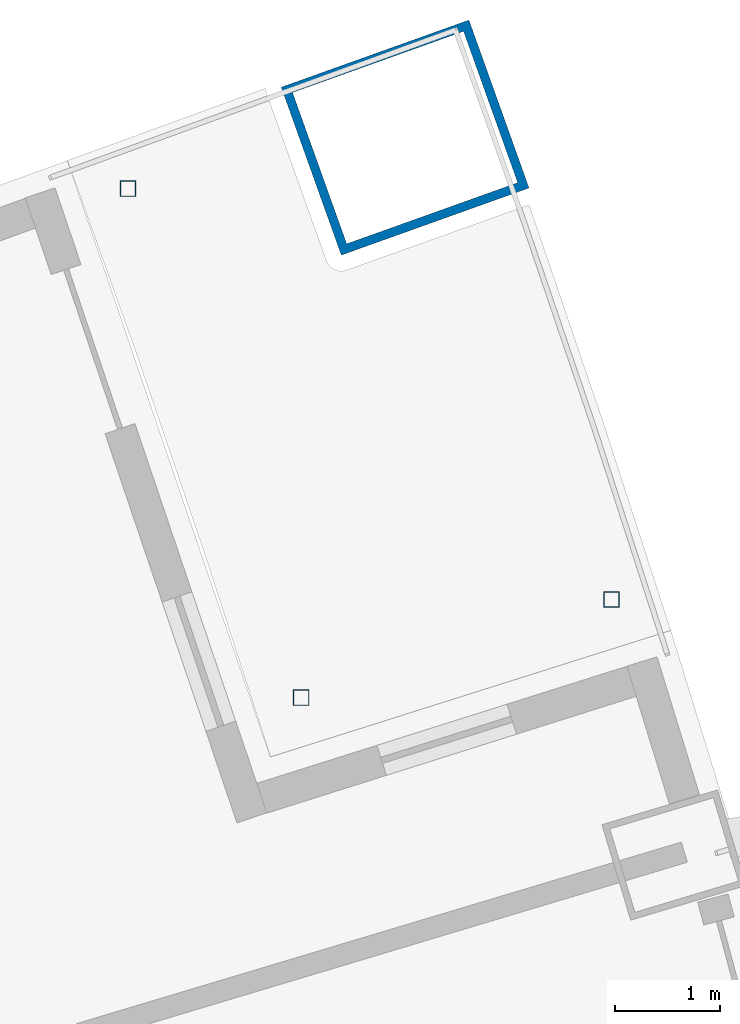
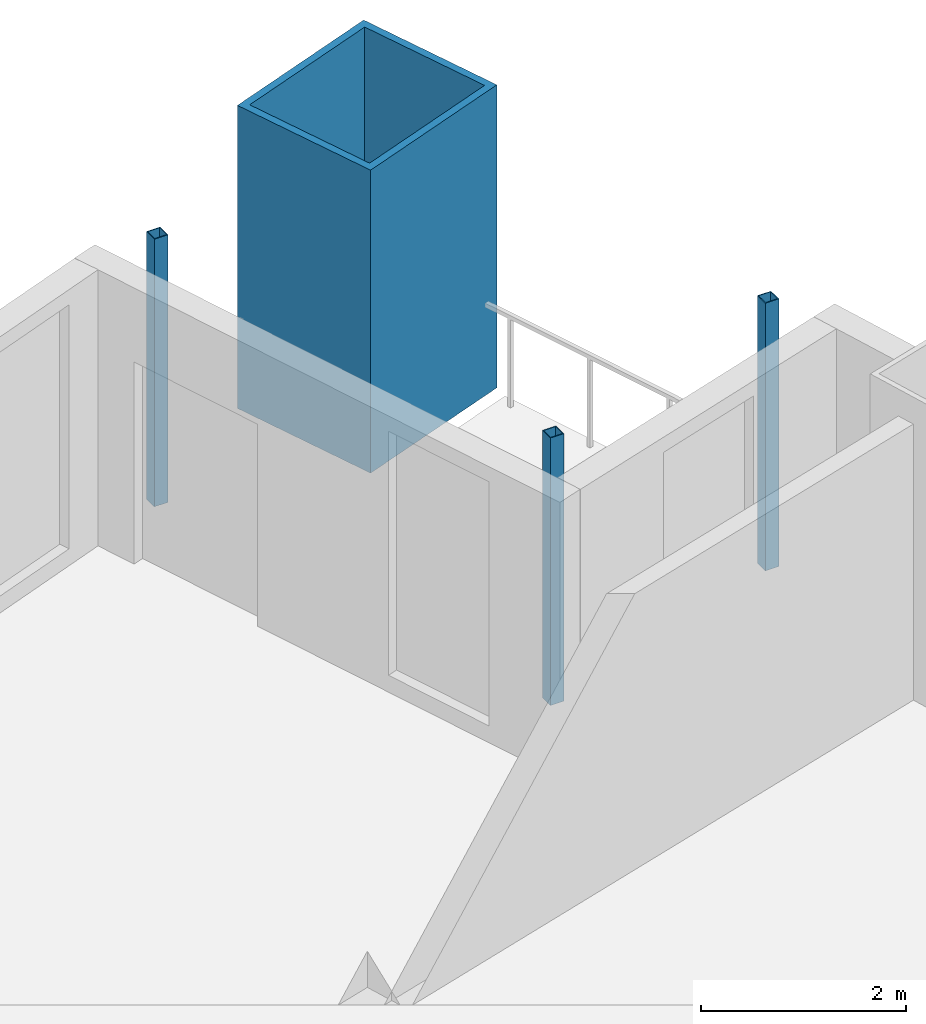
# One storey, part 11 of 25: 4 columns.
"""IFC4 building model written with IfcOpenShell, lengths in metres."""

from ifc_helpers import new_model, si_unit, direction, frame, origin, origin_2d, place, context, subcontext, project, spatial, hollow_rectangle, extrude, material, material_profile, profile_set, type_object, element, save


model = new_model("IFC4")

# Units and contexts
model_context = context("Model", 3, precision=1e-05, world=origin(), true_north=direction((0.0, 1.0)))
body_context = subcontext(model_context, "Body", "Model", "MODEL_VIEW")
ifc_project = project(units=[si_unit("LENGTHUNIT", "METRE"), si_unit("AREAUNIT", "SQUARE_METRE"), si_unit("VOLUMEUNIT", "CUBIC_METRE"), si_unit("PLANEANGLEUNIT", "RADIAN"), si_unit("MASSUNIT", "GRAM", prefix="KILO")], contexts=[model_context])

# Site, building, storey
site_placement = place(None, origin())
site = spatial("IfcSite", under=ifc_project, at=site_placement, CompositionType="ELEMENT")
building_placement = place(site_placement, origin())
building = spatial("IfcBuilding", under=site, at=building_placement, Name="Alderwake Tower", CompositionType="ELEMENT")
storey_placement = place(building_placement, frame((0.0, 0.0, 114.800048828125)))
storey = spatial("IfcBuildingStorey", under=building, at=storey_placement, Name="L28", CompositionType="ELEMENT", Elevation=114.800048828125)

# Columns
ifc_material_1 = material(Name="Steel ASTM A500 Grade C", Category="steel")
ifc_material_profile_1 = material_profile(ifc_material_1, hollow_rectangle(XDim=0.15234375, YDim=0.15234375, WallThickness=0.0087890625, at=origin_2d()), Name="HSS6X6X3/8")
ifc_profile_set_1 = profile_set([ifc_material_profile_1], Name="Steel ASTM A500 Grade C")
column_type_1 = type_object("IfcColumnType", Name="Light post HSS6X6X3/8", PredefinedType="COLUMN", material=ifc_profile_set_1)
for number, where, z_axis, x_axis, name in (
    (1, (54.064697265625, 103.86279296875, 0.0), (0.0, 0.0, 1.0), (1.0, 0.0, 0.0), "Terrace post FN1"),
    (2, (49.458251953125, 107.77685546875, 0.0), (0.0, 0.0, 1.0), (1.0, 0.0, 0.0), "Terrace post FN2"),
    (3, (51.10888671875, 102.92822265625, 0.0), (0.0, 0.0, 1.0), (1.0, 0.0, 0.0), "Terrace post FN3"),
):
    element("IfcColumn", number, at=place(storey_placement, frame(where, z_axis=z_axis, x_axis=x_axis)), inside=storey, type_object=column_type_1, Name=name, PredefinedType="COLUMN", context=body_context, shape_type="SweptSolid", body=[
        extrude(hollow_rectangle(XDim=0.15234375, YDim=0.15234375, WallThickness=0.0087890625, at=origin_2d()), origin(), (0.0, 0.0, 1.0), 3.179931640625),
    ])
ifc_material_2 = material(Name="Steel ASTM A572 Grade 50 concrete filled C70/85", Category="concrete")
ifc_material_profile_2 = material_profile(ifc_material_2, hollow_rectangle(XDim=1.699951171875, YDim=1.89990234375, WallThickness=0.0849609375, at=origin_2d()), Name="BOX 1900X1700X85")
ifc_profile_set_2 = profile_set([ifc_material_profile_2], Name="Steel ASTM A572 Grade 50 concrete filled C70/85")
column_type_2 = type_object("IfcColumnType", Name="Mega column Z2", PredefinedType="COLUMN", material=ifc_profile_set_2)
column_placement = place(storey_placement, frame((52.09912109375, 108.263916015625, 0.0), z_axis=(0.0, 0.0, 1.0), x_axis=(-0.336878350236, 0.941548180999, 0.0)))
element("IfcColumn", 4, at=column_placement, inside=storey, type_object=column_type_2, Name="Column R13-C5", PredefinedType="COLUMN", context=body_context, shape_type="SweptSolid", body=[
    extrude(hollow_rectangle(XDim=1.699951171875, YDim=1.89990234375, WallThickness=0.0849609375, at=origin_2d()), origin(), (0.0, 0.0, 1.0), 3.599853515625),
])

save(model, "model.ifc")
